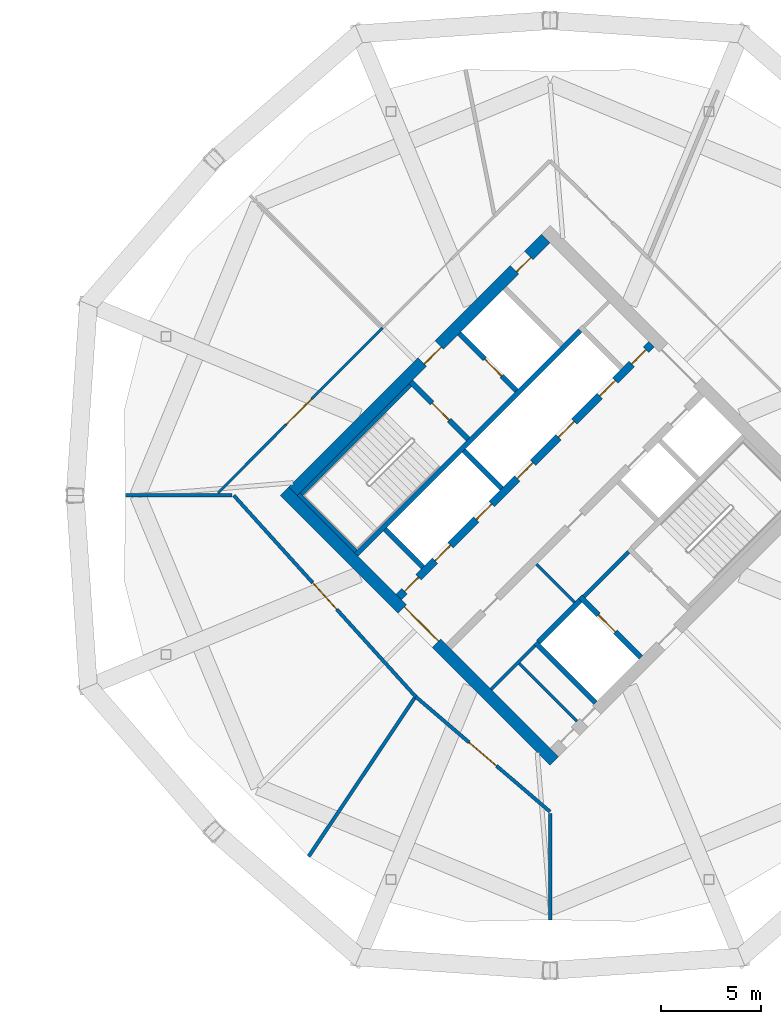
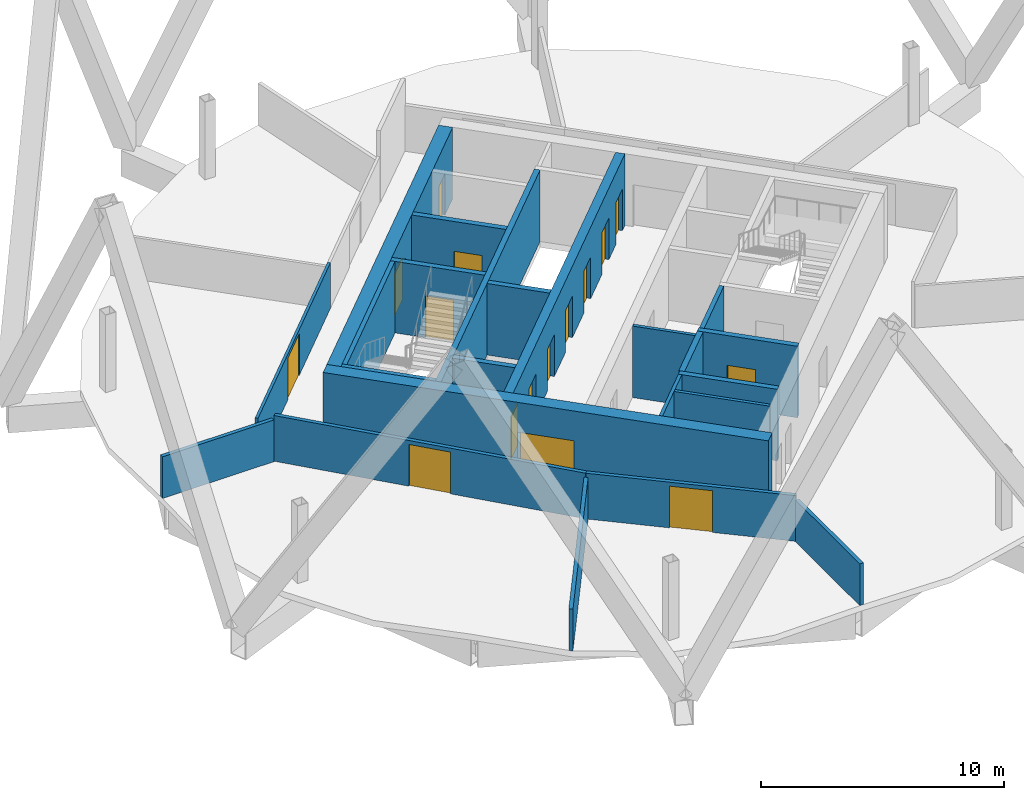
# One storey, part 6 of 9: 23 walls, 16 doors, 16 openings.
"""IFC4 building model written with IfcOpenShell, lengths in metres."""

from ifc_helpers import new_model, si_unit, direction, frame, frame_2d, origin, place, context, subcontext, project, spatial, rectangle, extrude, material, layer, layer_set, type_object, element, fill, save


model = new_model("IFC4")

# Units and contexts
model_context = context("Model", 3, precision=1e-05, world=origin(), true_north=direction((0.0, 1.0)))
body_context = subcontext(model_context, "Body", "Model", "MODEL_VIEW")
ifc_project = project(units=[si_unit("LENGTHUNIT", "METRE"), si_unit("AREAUNIT", "SQUARE_METRE"), si_unit("VOLUMEUNIT", "CUBIC_METRE"), si_unit("PLANEANGLEUNIT", "RADIAN"), si_unit("MASSUNIT", "GRAM", prefix="KILO")], contexts=[model_context])

# Site, building, storey
site_placement = place(None, origin())
site = spatial("IfcSite", under=ifc_project, at=site_placement, CompositionType="ELEMENT")
building_placement = place(site_placement, origin())
building = spatial("IfcBuilding", under=site, at=building_placement, Name="Ogive Gate Towers", CompositionType="ELEMENT")
storey_placement = place(building_placement, frame((0.0, 0.0, 200.699951171875)))
storey = spatial("IfcBuildingStorey", under=building, at=storey_placement, Name="L48", CompositionType="ELEMENT", Elevation=200.699951171875)

# Walls
ifc_material_1 = material(Name="Gypsum board acoustic partition")
ifc_layer_1 = layer(ifc_material_1, 0.175048828125)
ifc_layer_set_1 = layer_set([ifc_layer_1], Name="Acoustic partition 175")
wall_type_1 = type_object("IfcWallType", Name="Acoustic partition 175", PredefinedType="PARTITIONING", material=ifc_layer_set_1)
wall_1_placement = place(storey_placement, frame((14.881103515625, 0.0, 0.0), z_axis=(0.0, 0.0, 1.0), x_axis=(1.0, 0.0, 0.0)))
element("IfcWall", 1, at=wall_1_placement, inside=storey, type_object=wall_type_1, Name="Partition T2-L48-005", PredefinedType="PARTITIONING", context=body_context, shape_type="SweptSolid", body=[
    extrude(rectangle(XDim=5.29150390625, YDim=0.175048828125, at=frame_2d((2.645751953125, 0.0))), origin(), (0.0, 0.0, 1.0), 2.10009765625),
])
wall_2_placement = place(storey_placement, frame((23.98193359375, -17.971435546875, 0.0), z_axis=(0.0, 0.0, 1.0), x_axis=(0.555898649946, 0.831250077286, 0.0)))
element("IfcWall", 2, at=wall_2_placement, inside=storey, type_object=wall_type_1, Name="Partition T2-L48-006", PredefinedType="PARTITIONING", context=body_context, shape_type="SweptSolid", body=[
    extrude(rectangle(XDim=9.49169921875, YDim=0.175048828125, at=frame_2d((4.745849609375, 0.0))), origin(), (0.0, 0.0, 1.0), 2.10009765625),
])
wall_3_placement = place(storey_placement, frame((36.0, -21.118896484375, 0.0), z_axis=(0.0, 0.0, 1.0), x_axis=(0.0, 1.0, 0.0)))
element("IfcWall", 3, at=wall_3_placement, inside=storey, type_object=wall_type_1, Name="Partition T2-L48-007", PredefinedType="PARTITIONING", context=body_context, shape_type="SweptSolid", body=[
    extrude(rectangle(XDim=5.29150390625, YDim=0.175048828125, at=frame_2d((2.645751953125, 0.0))), origin(), (0.0, 0.0, 1.0), 2.10009765625),
])

# Wall, opening, door
wall_4_placement = place(storey_placement, frame((29.306884765625, -10.0087890625, 0.0), z_axis=(0.0, 0.0, 1.0), x_axis=(0.759579210601, -0.650414808275, 0.0)))
wall_4 = element("IfcWall", 4, at=wall_4_placement, inside=storey, type_object=wall_type_1, Name="Partition T2-L48-009", PredefinedType="PARTITIONING", context=body_context, shape_type="SweptSolid", body=[
    extrude(rectangle(XDim=8.8115234375, YDim=0.175048828125, at=frame_2d((4.40576171875, 0.0))), origin(), (0.0, 0.0, 1.0), 2.300048828125),
])
opening_1_placement = place(wall_4_placement, frame((3.506103515625, 0.0, 0.0)))
opening_1 = element("IfcOpeningElement", 5, at=opening_1_placement, cuts=wall_4, Name="Opening T2-L48-D01", PredefinedType="OPENING", context=body_context, shape_type="SweptSolid", body=[
    extrude(rectangle(XDim=1.800048828125, YDim=2.10009765625, at=frame_2d((0.89990234375, 1.050048828125))), frame((0.0, 0.09765625, 0.0), z_axis=(0.0, -1.0, 0.0), x_axis=(1.0, 0.0, 0.0)), (0.0, 0.0, 1.0), 0.195068359375),
])
ifc_material_2 = material(Name="Timber door", Category="wood")
door_type_1 = type_object("IfcDoorType", Name="Door pair 1800", OperationType="NOTDEFINED", PredefinedType="DOOR", material=ifc_material_2)
door_1_placement = place(opening_1_placement, origin())
door_1 = element("IfcDoor", 6, at=door_1_placement, inside=storey, type_object=door_type_1, Name="Door T2-L48-D01", OperationType="DOUBLE_DOOR_DOUBLE_SWING", OverallHeight=2.10009765625, OverallWidth=1.800048828125, PredefinedType="DOOR", context=body_context, shape_type="SweptSolid", body=[
    extrude(rectangle(XDim=1.800048828125, YDim=2.10009765625, at=frame_2d((0.89990234375, 1.050048828125))), frame((0.0, 0.02490234375, 0.0), z_axis=(0.0, -1.0, 0.0), x_axis=(1.0, 0.0, 0.0)), (0.0, 0.0, 1.0), 0.050048828125),
])
fill(opening_1, door_1)

wall_5_placement = place(storey_placement, frame((20.260009765625, 0.0, 0.0), z_axis=(0.0, 0.0, 1.0), x_axis=(0.670558821911, -0.741856365044, 0.0)))
wall_5 = element("IfcWall", 7, at=wall_5_placement, inside=storey, type_object=wall_type_1, Name="Partition T2-L48-017", PredefinedType="PARTITIONING", context=body_context, shape_type="SweptSolid", body=[
    extrude(rectangle(XDim=13.491455078125, YDim=0.175048828125, at=frame_2d((6.74560546875, 0.0))), origin(), (0.0, 0.0, 1.0), 2.300048828125),
])
opening_2_placement = place(wall_5_placement, frame((5.845947265625, 0.0, 0.0)))
opening_2 = element("IfcOpeningElement", 8, at=opening_2_placement, cuts=wall_5, Name="Opening T2-L48-D07", PredefinedType="OPENING", context=body_context, shape_type="SweptSolid", body=[
    extrude(rectangle(XDim=1.800048828125, YDim=2.10009765625, at=frame_2d((0.89990234375, 1.050048828125))), frame((0.0, 0.09765625, 0.0), z_axis=(0.0, -1.0, 0.0), x_axis=(1.0, 0.0, 0.0)), (0.0, 0.0, 1.0), 0.195068359375),
])
door_2_placement = place(opening_2_placement, origin())
door_2 = element("IfcDoor", 9, at=door_2_placement, inside=storey, type_object=door_type_1, Name="Door T2-L48-D07", OperationType="DOUBLE_DOOR_DOUBLE_SWING", OverallHeight=2.10009765625, OverallWidth=1.800048828125, PredefinedType="DOOR", context=body_context, shape_type="SweptSolid", body=[
    extrude(rectangle(XDim=1.800048828125, YDim=2.10009765625, at=frame_2d((0.89990234375, 1.050048828125))), frame((0.0, 0.02490234375, 0.0), z_axis=(0.0, -1.0, 0.0), x_axis=(1.0, 0.0, 0.0)), (0.0, 0.0, 1.0), 0.050048828125),
])
fill(opening_2, door_2)

# Wall
ifc_material_3 = material(Name="Masonry blockwork", Category="masonry")
ifc_layer_2 = layer(ifc_material_3, 0.199951171875)
ifc_layer_set_2 = layer_set([ifc_layer_2], Name="Blockwork wall 200 mm")
wall_type_2 = type_object("IfcWallType", Name="Blockwork wall 200 mm", PredefinedType="PARTITIONING", material=ifc_layer_set_2)
wall_6_placement = place(storey_placement, frame((37.679443359375, -5.0380859375, 0.0), z_axis=(0.0, 0.0, 1.0), x_axis=(0.707106781187, 0.707106781187, 0.0)))
element("IfcWall", 10, at=wall_6_placement, inside=storey, type_object=wall_type_2, Name="T2 L48 Blockwork wall 200 mm", PredefinedType="PARTITIONING", context=body_context, shape_type="SweptSolid", body=[
    extrude(rectangle(XDim=3.14990234375, YDim=0.199951171875, at=frame_2d((1.574951171875, 0.0))), origin(), (0.0, 0.0, 1.0), 3.60009765625),
])

# Wall, openings, doors
ifc_material_4 = material(Name="Concrete C60/75", Category="concrete")
ifc_layer_3 = layer(ifc_material_4, 0.60009765625)
ifc_layer_set_3 = layer_set([ifc_layer_3], Name="Core wall 600 mm")
wall_type_3 = type_object("IfcWallType", Name="Core wall 600 mm", PredefinedType="SHEAR", material=ifc_layer_set_3)
wall_7_placement = place(storey_placement, frame((23.201416015625, 0.212158203125, 0.0), z_axis=(0.0, 0.0, 1.0), x_axis=(0.707106781187, 0.707106781187, 0.0)))
wall_7 = element("IfcWall", 11, at=wall_7_placement, inside=storey, type_object=wall_type_3, Name="T2 L48 Core wall 600 mm", PredefinedType="SHEAR", context=body_context, shape_type="SweptSolid", body=[
    extrude(rectangle(XDim=17.7998046875, YDim=0.60009765625, at=frame_2d((8.89990234375, 0.0))), origin(), (0.0, 0.0, 1.0), 3.60009765625),
])
opening_3_placement = place(wall_7_placement, frame((9.10009765625, 0.0, 0.0)))
opening_3 = element("IfcOpeningElement", 12, at=opening_3_placement, cuts=wall_7, Name="Opening KD-T2-L48-18", PredefinedType="OPENING", context=body_context, shape_type="SweptSolid", body=[
    extrude(rectangle(XDim=1.199951171875, YDim=2.10009765625, at=frame_2d((0.60009765625, 1.050048828125))), frame((0.0, 0.31005859375, 0.0), z_axis=(0.0, -1.0, 0.0), x_axis=(1.0, 0.0, 0.0)), (0.0, 0.0, 1.0), 0.6201171875),
])
opening_4_placement = place(wall_7_placement, frame((15.60009765625, 0.0, 0.0)))
opening_4 = element("IfcOpeningElement", 13, at=opening_4_placement, cuts=wall_7, Name="Opening KD-T2-L48-20", PredefinedType="OPENING", context=body_context, shape_type="SweptSolid", body=[
    extrude(rectangle(XDim=1.0, YDim=2.10009765625, at=frame_2d((0.5, 1.050048828125))), frame((0.0, 0.31005859375, 0.0), z_axis=(0.0, -1.0, 0.0), x_axis=(1.0, 0.0, 0.0)), (0.0, 0.0, 1.0), 0.6201171875),
])
door_type_2 = type_object("IfcDoorType", Name="Accessible WC door 1000 x 2100", OperationType="NOTDEFINED", PredefinedType="DOOR", material=ifc_material_2)
door_3_placement = place(opening_4_placement, origin())
door_3 = element("IfcDoor", 14, at=door_3_placement, inside=storey, type_object=door_type_2, Name="T2 L48 Core door", OperationType="SINGLE_SWING_LEFT", OverallHeight=2.10009765625, OverallWidth=1.0, PredefinedType="DOOR", context=body_context, shape_type="SweptSolid", body=[
    extrude(rectangle(XDim=1.0, YDim=2.10009765625, at=frame_2d((0.5, 1.050048828125))), frame((0.0, -0.125, 0.0), z_axis=(0.0, -1.0, 0.0), x_axis=(1.0, 0.0, 0.0)), (0.0, 0.0, 1.0), 0.050048828125),
])
fill(opening_4, door_3)
ifc_material_5 = material(Name="Steel fire door", Category="steel")
door_type_3 = type_object("IfcDoorType", Name="Core door FD60S 1200 x 2100", OperationType="NOTDEFINED", PredefinedType="DOOR", material=ifc_material_5)
door_4_placement = place(opening_3_placement, origin())
door_4 = element("IfcDoor", 15, at=door_4_placement, inside=storey, type_object=door_type_3, Name="T2 L48 Fire-fighting lobby door", OperationType="SINGLE_SWING_LEFT", OverallHeight=2.10009765625, OverallWidth=1.199951171875, PredefinedType="DOOR", context=body_context, shape_type="SweptSolid", body=[
    extrude(rectangle(XDim=1.199951171875, YDim=2.10009765625, at=frame_2d((0.60009765625, 1.050048828125))), frame((0.0, -0.125, 0.0), z_axis=(0.0, -1.0, 0.0), x_axis=(1.0, 0.0, 0.0)), (0.0, 0.0, 1.0), 0.050048828125),
])
fill(opening_3, door_4)

# Wall, opening, door
wall_8_placement = place(storey_placement, frame((36.212158203125, -13.222900390625, 0.0), z_axis=(0.0, 0.0, 1.0), x_axis=(-0.707106781187, 0.707106781187, 0.0)))
wall_8 = element("IfcWall", 16, at=wall_8_placement, inside=storey, type_object=wall_type_3, Name="T2 L48 Core wall 600 mm", PredefinedType="SHEAR", context=body_context, shape_type="SweptSolid", body=[
    extrude(rectangle(XDim=19.0, YDim=0.60009765625, at=frame_2d((9.5, 0.0))), origin(), (0.0, 0.0, 1.0), 3.60009765625),
])
opening_5_placement = place(wall_8_placement, frame((8.300048828125, 0.0, 0.0)))
opening_5 = element("IfcOpeningElement", 17, at=opening_5_placement, cuts=wall_8, Name="Opening KD-T2-L48-01", PredefinedType="OPENING", context=body_context, shape_type="SweptSolid", body=[
    extrude(rectangle(XDim=2.39990234375, YDim=2.10009765625, at=frame_2d((1.199951171875, 1.050048828125))), frame((0.0, 0.31005859375, 0.0), z_axis=(0.0, -1.0, 0.0), x_axis=(1.0, 0.0, 0.0)), (0.0, 0.0, 1.0), 0.6201171875),
])
door_type_4 = type_object("IfcDoorType", Name="Core double door FD60S 2400 x 2100", OperationType="DOUBLE_DOOR_SINGLE_SWING", PredefinedType="DOOR", material=ifc_material_5)
door_5_placement = place(opening_5_placement, origin())
door_5 = element("IfcDoor", 18, at=door_5_placement, inside=storey, type_object=door_type_4, Name="T2 L48 Core door double", OperationType="DOUBLE_DOOR_SINGLE_SWING", OverallHeight=2.10009765625, OverallWidth=2.39990234375, PredefinedType="DOOR", context=body_context, shape_type="SweptSolid", body=[
    extrude(rectangle(XDim=2.39990234375, YDim=2.10009765625, at=frame_2d((1.199951171875, 1.050048828125))), frame((0.0, -0.125, 0.0), z_axis=(0.0, -1.0, 0.0), x_axis=(1.0, 0.0, 0.0)), (0.0, 0.0, 1.0), 0.050048828125),
])
fill(opening_5, door_5)

ifc_material_6 = material(Name="Gypsum board partition")
ifc_layer_4 = layer(ifc_material_6, 0.125)
ifc_layer_set_4 = layer_set([ifc_layer_4], Name="Partition 125")
wall_type_4 = type_object("IfcWallType", Name="Partition 125", PredefinedType="PARTITIONING", material=ifc_layer_set_4)
wall_9_placement = place(storey_placement, frame((27.6630859375, 8.3369140625, 0.0), z_axis=(0.0, 0.0, 1.0), x_axis=(-0.706495325454, -0.707717708632, 0.0)))
wall_9 = element("IfcWall", 19, at=wall_9_placement, inside=storey, type_object=wall_type_4, Name="Partition T2-L48-016", PredefinedType="PARTITIONING", context=body_context, shape_type="SweptSolid", body=[
    extrude(rectangle(XDim=11.583984375, YDim=0.125, at=frame_2d((5.7919921875, 0.0))), origin(), (0.0, 0.0, 1.0), 2.300048828125),
])
opening_6_placement = place(wall_9_placement, frame((4.989990234375, 0.0, 0.0)))
opening_6 = element("IfcOpeningElement", 20, at=opening_6_placement, cuts=wall_9, Name="Opening T2-L48-D06", PredefinedType="OPENING", context=body_context, shape_type="SweptSolid", body=[
    extrude(rectangle(XDim=1.800048828125, YDim=2.10009765625, at=frame_2d((0.89990234375, 1.050048828125))), frame((0.0, 0.072509765625, 0.0), z_axis=(0.0, -1.0, 0.0), x_axis=(1.0, 0.0, 0.0)), (0.0, 0.0, 1.0), 0.14501953125),
])
door_6_placement = place(opening_6_placement, origin())
door_6 = element("IfcDoor", 21, at=door_6_placement, inside=storey, type_object=door_type_1, Name="Door T2-L48-D06", OperationType="DOUBLE_DOOR_DOUBLE_SWING", OverallHeight=2.10009765625, OverallWidth=1.800048828125, PredefinedType="DOOR", context=body_context, shape_type="SweptSolid", body=[
    extrude(rectangle(XDim=1.800048828125, YDim=2.10009765625, at=frame_2d((0.89990234375, 1.050048828125))), frame((0.0, 0.02490234375, 0.0), z_axis=(0.0, -1.0, 0.0), x_axis=(1.0, 0.0, 0.0)), (0.0, 0.0, 1.0), 0.050048828125),
])
fill(opening_6, door_6)

# Walls
ifc_layer_5 = layer(ifc_material_6, 0.14990234375)
ifc_layer_set_5 = layer_set([ifc_layer_5], Name="Room partition 150 mm")
wall_type_5 = type_object("IfcWallType", Name="Room partition 150 mm", PredefinedType="PARTITIONING", material=ifc_layer_set_5)
wall_10_placement = place(storey_placement, frame((33.0654296875, -9.652099609375, 0.0), z_axis=(0.0, 0.0, 1.0), x_axis=(0.707146476181, 0.707067083964, 0.0)))
element("IfcWall", 22, at=wall_10_placement, inside=storey, type_object=wall_type_5, Name="T2 L48 Room partition 150 mm", PredefinedType="PARTITIONING", context=body_context, shape_type="SweptSolid", body=[
    extrude(rectangle(XDim=3.0751953125, YDim=0.14990234375, at=frame_2d((1.53759765625, 0.0))), origin(), (0.0, 0.0, 1.0), 3.60009765625),
])
wall_11_placement = place(storey_placement, frame((37.343505859375, -11.242919921875, 0.0), z_axis=(0.0, 0.0, 1.0), x_axis=(-0.707136736357, 0.707076824747, 0.0)))
element("IfcWall", 23, at=wall_11_placement, inside=storey, type_object=wall_type_5, Name="T2 L48 Room partition 150 mm", PredefinedType="PARTITIONING", context=body_context, shape_type="SweptSolid", body=[
    extrude(rectangle(XDim=4.074951171875, YDim=0.14990234375, at=frame_2d((2.03759765625, 0.0))), origin(), (0.0, 0.0, 1.0), 3.60009765625),
])
wall_12_placement = place(storey_placement, frame((37.2197265625, -5.321044921875, 0.0), z_axis=(0.0, 0.0, 1.0), x_axis=(-0.707106781187, 0.707106781187, 0.0)))
element("IfcWall", 24, at=wall_12_placement, inside=storey, type_object=wall_type_5, Name="T2 L48 Room partition 150 mm", PredefinedType="PARTITIONING", context=body_context, shape_type="SweptSolid", body=[
    extrude(rectangle(XDim=2.675048828125, YDim=0.14990234375, at=frame_2d((1.33740234375, 0.0))), origin(), (0.0, 0.0, 1.0), 3.60009765625),
])
ifc_layer_6 = layer(ifc_material_4, 0.25)
ifc_layer_set_6 = layer_set([ifc_layer_6], Name="Shaft wall 250 mm")
wall_type_6 = type_object("IfcWallType", Name="Shaft wall 250 mm", PredefinedType="SHEAR", material=ifc_layer_set_6)
wall_13_placement = place(storey_placement, frame((35.41650390625, -7.30078125, 0.0), z_axis=(0.0, 0.0, 1.0), x_axis=(0.707148157867, 0.707065402085, 0.0)))
element("IfcWall", 25, at=wall_13_placement, inside=storey, type_object=wall_type_6, Name="T2 L48 Shaft wall 250 mm", PredefinedType="SHEAR", context=body_context, shape_type="SweptSolid", body=[
    extrude(rectangle(XDim=2.9501953125, YDim=0.25, at=frame_2d((1.47509765625, 0.0))), origin(), (0.0, 0.0, 1.0), 3.60009765625),
])
wall_14_placement = place(storey_placement, frame((26.347900390625, -2.9345703125, 0.0), z_axis=(0.0, 0.0, 1.0), x_axis=(0.707106781187, 0.707106781187, 0.0)))
element("IfcWall", 26, at=wall_14_placement, inside=storey, type_object=wall_type_6, Name="T2 L48 Shaft wall 250 mm", PredefinedType="SHEAR", context=body_context, shape_type="SweptSolid", body=[
    extrude(rectangle(XDim=15.775146484375, YDim=0.25, at=frame_2d((7.8876953125, 0.0))), origin(), (0.0, 0.0, 1.0), 3.60009765625),
])
wall_15_placement = place(storey_placement, frame((29.67138671875, -3.57080078125, 0.0), z_axis=(0.0, 0.0, 1.0), x_axis=(-0.707152414227, 0.707061145201, 0.0)))
element("IfcWall", 27, at=wall_15_placement, inside=storey, type_object=wall_type_6, Name="T2 L48 Shaft wall 250 mm", PredefinedType="SHEAR", context=body_context, shape_type="SweptSolid", body=[
    extrude(rectangle(XDim=2.675048828125, YDim=0.25, at=frame_2d((1.33740234375, 0.0))), origin(), (0.0, 0.0, 1.0), 3.60009765625),
])
wall_16_placement = place(storey_placement, frame((38.2626953125, -10.32373046875, 0.0), z_axis=(0.0, 0.0, 1.0), x_axis=(-0.707106781187, 0.707106781187, 0.0)))
element("IfcWall", 28, at=wall_16_placement, inside=storey, type_object=wall_type_6, Name="T2 L48 Shaft wall 250 mm", PredefinedType="SHEAR", context=body_context, shape_type="SweptSolid", body=[
    extrude(rectangle(XDim=4.22509765625, YDim=0.25, at=frame_2d((2.112548828125, 0.0))), origin(), (0.0, 0.0, 1.0), 3.60009765625),
])

# Wall, opening, door
wall_17_placement = place(storey_placement, frame((40.525390625, -8.06103515625, 0.0), z_axis=(0.0, 0.0, 1.0), x_axis=(-0.707078225638, 0.707135335582, 0.0)))
wall_17 = element("IfcWall", 29, at=wall_17_placement, inside=storey, type_object=wall_type_6, Name="T2 L48 Shaft wall 250 mm", PredefinedType="SHEAR", context=body_context, shape_type="SweptSolid", body=[
    extrude(rectangle(XDim=4.27490234375, YDim=0.25, at=frame_2d((2.137451171875, 0.0))), origin(), (0.0, 0.0, 1.0), 3.60009765625),
])
opening_7_placement = place(wall_17_placement, frame((1.800048828125, 0.0, 0.0)))
opening_7 = element("IfcOpeningElement", 30, at=opening_7_placement, cuts=wall_17, Name="Opening LD-T2-L48-13", PredefinedType="OPENING", context=body_context, shape_type="SweptSolid", body=[
    extrude(rectangle(XDim=1.199951171875, YDim=2.10009765625, at=frame_2d((0.60009765625, 1.050048828125))), frame((0.0, 0.135009765625, 0.0), z_axis=(0.0, -1.0, 0.0), x_axis=(1.0, 0.0, 0.0)), (0.0, 0.0, 1.0), 0.27001953125),
])
ifc_material_7 = material(Name="Stainless steel landing door", Category="steel")
door_type_5 = type_object("IfcDoorType", Name="Landing door 1200 x 2100", OperationType="SLIDING_TO_LEFT", PredefinedType="DOOR", material=ifc_material_7)
door_7_placement = place(opening_7_placement, origin())
door_7 = element("IfcDoor", 31, at=door_7_placement, inside=storey, type_object=door_type_5, Name="T2 L48 Lift landing door FF2", OperationType="SLIDING_TO_LEFT", OverallHeight=2.10009765625, OverallWidth=1.199951171875, PredefinedType="DOOR", context=body_context, shape_type="SweptSolid", body=[
    extrude(rectangle(XDim=1.199951171875, YDim=2.10009765625, at=frame_2d((0.60009765625, 1.050048828125))), frame((0.0, 0.02490234375, 0.0), z_axis=(0.0, -1.0, 0.0), x_axis=(1.0, 0.0, 0.0)), (0.0, 0.0, 1.0), 0.050048828125),
])
fill(opening_7, door_7)

# Wall
wall_18_placement = place(storey_placement, frame((33.595703125, 0.353515625, 0.0), z_axis=(0.0, 0.0, 1.0), x_axis=(-0.707061145201, 0.707152414227, 0.0)))
element("IfcWall", 32, at=wall_18_placement, inside=storey, type_object=wall_type_6, Name="T2 L48 Shaft wall 250 mm", PredefinedType="SHEAR", context=body_context, shape_type="SweptSolid", body=[
    extrude(rectangle(XDim=2.675048828125, YDim=0.25, at=frame_2d((1.33740234375, 0.0))), origin(), (0.0, 0.0, 1.0), 3.60009765625),
])

# Wall, opening, door
wall_19_placement = place(storey_placement, frame((31.91650390625, 2.810791015625, 0.0), z_axis=(0.0, 0.0, 1.0), x_axis=(-0.707106781187, 0.707106781187, 0.0)))
wall_19 = element("IfcWall", 33, at=wall_19_placement, inside=storey, type_object=wall_type_6, Name="T2 L48 Shaft wall 250 mm", PredefinedType="SHEAR", context=body_context, shape_type="SweptSolid", body=[
    extrude(rectangle(XDim=4.025146484375, YDim=0.25, at=frame_2d((2.0126953125, 0.0))), origin(), (0.0, 0.0, 1.0), 3.60009765625),
])
opening_8_placement = place(wall_19_placement, frame((1.324951171875, 0.0, 0.0)))
opening_8 = element("IfcOpeningElement", 34, at=opening_8_placement, cuts=wall_19, Name="Opening KD-T2-L48-16", PredefinedType="OPENING", context=body_context, shape_type="SweptSolid", body=[
    extrude(rectangle(XDim=1.199951171875, YDim=2.10009765625, at=frame_2d((0.60009765625, 1.050048828125))), frame((0.0, 0.135009765625, 0.0), z_axis=(0.0, -1.0, 0.0), x_axis=(1.0, 0.0, 0.0)), (0.0, 0.0, 1.0), 0.27001953125),
])
door_8_placement = place(opening_8_placement, origin())
door_8 = element("IfcDoor", 35, at=door_8_placement, inside=storey, type_object=door_type_3, Name="T2 L48 Stair door", OperationType="SINGLE_SWING_LEFT", OverallHeight=2.10009765625, OverallWidth=1.199951171875, PredefinedType="DOOR", context=body_context, shape_type="SweptSolid", body=[
    extrude(rectangle(XDim=1.199951171875, YDim=2.10009765625, at=frame_2d((0.60009765625, 1.050048828125))), frame((0.0, 0.02490234375, 0.0), z_axis=(0.0, -1.0, 0.0), x_axis=(1.0, 0.0, 0.0)), (0.0, 0.0, 1.0), 0.050048828125),
])
fill(opening_8, door_8)

wall_20_placement = place(storey_placement, frame((34.320556640625, 5.21484375, 0.0), z_axis=(0.0, 0.0, 1.0), x_axis=(-0.70707645213, 0.707137108942, 0.0)))
wall_20 = element("IfcWall", 36, at=wall_20_placement, inside=storey, type_object=wall_type_6, Name="T2 L48 Shaft wall 250 mm", PredefinedType="SHEAR", context=body_context, shape_type="SweptSolid", body=[
    extrude(rectangle(XDim=4.02490234375, YDim=0.25, at=frame_2d((2.012451171875, 0.0))), origin(), (0.0, 0.0, 1.0), 3.60009765625),
])
opening_9_placement = place(wall_20_placement, frame((1.02490234375, 0.0, 0.0)))
opening_9 = element("IfcOpeningElement", 37, at=opening_9_placement, cuts=wall_20, Name="Opening LD-T2-L48-12", PredefinedType="OPENING", context=body_context, shape_type="SweptSolid", body=[
    extrude(rectangle(XDim=1.199951171875, YDim=2.10009765625, at=frame_2d((0.60009765625, 1.050048828125))), frame((0.0, 0.135009765625, 0.0), z_axis=(0.0, -1.0, 0.0), x_axis=(1.0, 0.0, 0.0)), (0.0, 0.0, 1.0), 0.27001953125),
])
door_9_placement = place(opening_9_placement, origin())
door_9 = element("IfcDoor", 38, at=door_9_placement, inside=storey, type_object=door_type_5, Name="T2 L48 Lift landing door FF1", OperationType="SLIDING_TO_LEFT", OverallHeight=2.10009765625, OverallWidth=1.199951171875, PredefinedType="DOOR", context=body_context, shape_type="SweptSolid", body=[
    extrude(rectangle(XDim=1.199951171875, YDim=2.10009765625, at=frame_2d((0.60009765625, 1.050048828125))), frame((0.0, 0.02490234375, 0.0), z_axis=(0.0, -1.0, 0.0), x_axis=(1.0, 0.0, 0.0)), (0.0, 0.0, 1.0), 0.050048828125),
])
fill(opening_9, door_9)

# Wall, openings, doors
ifc_layer_7 = layer(ifc_material_4, 0.39990234375)
ifc_layer_set_7 = layer_set([ifc_layer_7], Name="Spine wall 400 mm")
wall_type_7 = type_object("IfcWallType", Name="Spine wall 400 mm", PredefinedType="SHEAR", material=ifc_layer_set_7)
wall_21_placement = place(storey_placement, frame((28.46923828125, -5.055908203125, 0.0), z_axis=(0.0, 0.0, 1.0), x_axis=(0.707106781187, 0.707106781187, 0.0)))
wall_21 = element("IfcWall", 39, at=wall_21_placement, inside=storey, type_object=wall_type_7, Name="T2 L48 Spine wall 400 mm", PredefinedType="SHEAR", context=body_context, shape_type="SweptSolid", body=[
    extrude(rectangle(XDim=17.80029296875, YDim=0.39990234375, at=frame_2d((8.900146484375, 0.0))), origin(), (0.0, 0.0, 1.0), 3.60009765625),
])
opening_10_placement = place(wall_21_placement, frame((0.39990234375, 0.0, 0.0)))
opening_10 = element("IfcOpeningElement", 40, at=opening_10_placement, cuts=wall_21, Name="Opening KD-T2-L48-03", PredefinedType="OPENING", context=body_context, shape_type="SweptSolid", body=[
    extrude(rectangle(XDim=1.0, YDim=2.10009765625, at=frame_2d((0.5, 1.050048828125))), frame((0.0, 0.2099609375, 0.0), z_axis=(0.0, -1.0, 0.0), x_axis=(1.0, 0.0, 0.0)), (0.0, 0.0, 1.0), 0.419921875),
])
opening_11_placement = place(wall_21_placement, frame((2.550048828125, 0.0, 0.0)))
opening_11 = element("IfcOpeningElement", 41, at=opening_11_placement, cuts=wall_21, Name="Opening LD-T2-L48-04", PredefinedType="OPENING", context=body_context, shape_type="SweptSolid", body=[
    extrude(rectangle(XDim=1.10009765625, YDim=2.10009765625, at=frame_2d((0.550048828125, 1.050048828125))), frame((0.0, 0.2099609375, 0.0), z_axis=(0.0, -1.0, 0.0), x_axis=(1.0, 0.0, 0.0)), (0.0, 0.0, 1.0), 0.419921875),
])
opening_12_placement = place(wall_21_placement, frame((5.449951171875, 0.0, 0.0)))
opening_12 = element("IfcOpeningElement", 42, at=opening_12_placement, cuts=wall_21, Name="Opening LD-T2-L48-05", PredefinedType="OPENING", context=body_context, shape_type="SweptSolid", body=[
    extrude(rectangle(XDim=1.10009765625, YDim=2.10009765625, at=frame_2d((0.550048828125, 1.050048828125))), frame((0.0, 0.2099609375, 0.0), z_axis=(0.0, -1.0, 0.0), x_axis=(1.0, 0.0, 0.0)), (0.0, 0.0, 1.0), 0.419921875),
])
opening_13_placement = place(wall_21_placement, frame((8.35009765625, 0.0, 0.0)))
opening_13 = element("IfcOpeningElement", 43, at=opening_13_placement, cuts=wall_21, Name="Opening LD-T2-L48-06", PredefinedType="OPENING", context=body_context, shape_type="SweptSolid", body=[
    extrude(rectangle(XDim=1.10009765625, YDim=2.10009765625, at=frame_2d((0.550048828125, 1.050048828125))), frame((0.0, 0.2099609375, 0.0), z_axis=(0.0, -1.0, 0.0), x_axis=(1.0, 0.0, 0.0)), (0.0, 0.0, 1.0), 0.419921875),
])
opening_14_placement = place(wall_21_placement, frame((11.25, 0.0, 0.0)))
opening_14 = element("IfcOpeningElement", 44, at=opening_14_placement, cuts=wall_21, Name="Opening LD-T2-L48-07", PredefinedType="OPENING", context=body_context, shape_type="SweptSolid", body=[
    extrude(rectangle(XDim=1.10009765625, YDim=2.10009765625, at=frame_2d((0.550048828125, 1.050048828125))), frame((0.0, 0.2099609375, 0.0), z_axis=(0.0, -1.0, 0.0), x_axis=(1.0, 0.0, 0.0)), (0.0, 0.0, 1.0), 0.419921875),
])
opening_15_placement = place(wall_21_placement, frame((14.14990234375, 0.0, 0.0)))
opening_15 = element("IfcOpeningElement", 45, at=opening_15_placement, cuts=wall_21, Name="Opening LD-T2-L48-08", PredefinedType="OPENING", context=body_context, shape_type="SweptSolid", body=[
    extrude(rectangle(XDim=1.10009765625, YDim=2.10009765625, at=frame_2d((0.550048828125, 1.050048828125))), frame((0.0, 0.2099609375, 0.0), z_axis=(0.0, -1.0, 0.0), x_axis=(1.0, 0.0, 0.0)), (0.0, 0.0, 1.0), 0.419921875),
])
opening_16_placement = place(wall_21_placement, frame((16.39990234375, 0.0, 0.0)))
opening_16 = element("IfcOpeningElement", 46, at=opening_16_placement, cuts=wall_21, Name="Opening KD-T2-L48-09", PredefinedType="OPENING", context=body_context, shape_type="SweptSolid", body=[
    extrude(rectangle(XDim=1.0, YDim=2.10009765625, at=frame_2d((0.5, 1.050048828125))), frame((0.0, 0.2099609375, 0.0), z_axis=(0.0, -1.0, 0.0), x_axis=(1.0, 0.0, 0.0)), (0.0, 0.0, 1.0), 0.419921875),
])
door_type_6 = type_object("IfcDoorType", Name="Core door FD60S 1000 x 2100", OperationType="NOTDEFINED", PredefinedType="DOOR", material=ifc_material_5)
door_10_placement = place(opening_10_placement, origin())
door_10 = element("IfcDoor", 47, at=door_10_placement, inside=storey, type_object=door_type_6, Name="T2 L48 Core door", OperationType="SINGLE_SWING_RIGHT", OverallHeight=2.10009765625, OverallWidth=1.0, PredefinedType="DOOR", context=body_context, shape_type="SweptSolid", body=[
    extrude(rectangle(XDim=1.0, YDim=2.10009765625, at=frame_2d((0.5, 1.050048828125))), frame((0.0, 0.02490234375, 0.0), z_axis=(0.0, -1.0, 0.0), x_axis=(1.0, 0.0, 0.0)), (0.0, 0.0, 1.0), 0.050048828125),
])
fill(opening_10, door_10)
door_11_placement = place(opening_16_placement, origin())
door_11 = element("IfcDoor", 48, at=door_11_placement, inside=storey, type_object=door_type_6, Name="T2 L48 Core door", OperationType="SINGLE_SWING_RIGHT", OverallHeight=2.10009765625, OverallWidth=1.0, PredefinedType="DOOR", context=body_context, shape_type="SweptSolid", body=[
    extrude(rectangle(XDim=1.0, YDim=2.10009765625, at=frame_2d((0.5, 1.050048828125))), frame((0.0, 0.02490234375, 0.0), z_axis=(0.0, -1.0, 0.0), x_axis=(1.0, 0.0, 0.0)), (0.0, 0.0, 1.0), 0.050048828125),
])
fill(opening_16, door_11)
door_type_7 = type_object("IfcDoorType", Name="Landing door 1100 x 2100", OperationType="SLIDING_TO_LEFT", PredefinedType="DOOR", material=ifc_material_7)
door_12_placement = place(opening_11_placement, origin())
door_12 = element("IfcDoor", 49, at=door_12_placement, inside=storey, type_object=door_type_7, Name="T2 L48 Lift landing door B1", OperationType="SLIDING_TO_LEFT", OverallHeight=2.10009765625, OverallWidth=1.10009765625, PredefinedType="DOOR", context=body_context, shape_type="SweptSolid", body=[
    extrude(rectangle(XDim=1.10009765625, YDim=2.10009765625, at=frame_2d((0.550048828125, 1.050048828125))), frame((0.0, 0.02490234375, 0.0), z_axis=(0.0, -1.0, 0.0), x_axis=(1.0, 0.0, 0.0)), (0.0, 0.0, 1.0), 0.050048828125),
])
fill(opening_11, door_12)
door_13_placement = place(opening_12_placement, origin())
door_13 = element("IfcDoor", 50, at=door_13_placement, inside=storey, type_object=door_type_7, Name="T2 L48 Lift landing door B2", OperationType="SLIDING_TO_LEFT", OverallHeight=2.10009765625, OverallWidth=1.10009765625, PredefinedType="DOOR", context=body_context, shape_type="SweptSolid", body=[
    extrude(rectangle(XDim=1.10009765625, YDim=2.10009765625, at=frame_2d((0.550048828125, 1.050048828125))), frame((0.0, 0.02490234375, 0.0), z_axis=(0.0, -1.0, 0.0), x_axis=(1.0, 0.0, 0.0)), (0.0, 0.0, 1.0), 0.050048828125),
])
fill(opening_12, door_13)
door_14_placement = place(opening_13_placement, origin())
door_14 = element("IfcDoor", 51, at=door_14_placement, inside=storey, type_object=door_type_7, Name="T2 L48 Lift landing door B3", OperationType="SLIDING_TO_LEFT", OverallHeight=2.10009765625, OverallWidth=1.10009765625, PredefinedType="DOOR", context=body_context, shape_type="SweptSolid", body=[
    extrude(rectangle(XDim=1.10009765625, YDim=2.10009765625, at=frame_2d((0.550048828125, 1.050048828125))), frame((0.0, 0.02490234375, 0.0), z_axis=(0.0, -1.0, 0.0), x_axis=(1.0, 0.0, 0.0)), (0.0, 0.0, 1.0), 0.050048828125),
])
fill(opening_13, door_14)
door_15_placement = place(opening_14_placement, origin())
door_15 = element("IfcDoor", 52, at=door_15_placement, inside=storey, type_object=door_type_7, Name="T2 L48 Lift landing door B4", OperationType="SLIDING_TO_LEFT", OverallHeight=2.10009765625, OverallWidth=1.10009765625, PredefinedType="DOOR", context=body_context, shape_type="SweptSolid", body=[
    extrude(rectangle(XDim=1.10009765625, YDim=2.10009765625, at=frame_2d((0.550048828125, 1.050048828125))), frame((0.0, 0.02490234375, 0.0), z_axis=(0.0, -1.0, 0.0), x_axis=(1.0, 0.0, 0.0)), (0.0, 0.0, 1.0), 0.050048828125),
])
fill(opening_14, door_15)
door_16_placement = place(opening_15_placement, origin())
door_16 = element("IfcDoor", 53, at=door_16_placement, inside=storey, type_object=door_type_7, Name="T2 L48 Lift landing door B5", OperationType="SLIDING_TO_LEFT", OverallHeight=2.10009765625, OverallWidth=1.10009765625, PredefinedType="DOOR", context=body_context, shape_type="SweptSolid", body=[
    extrude(rectangle(XDim=1.10009765625, YDim=2.10009765625, at=frame_2d((0.550048828125, 1.050048828125))), frame((0.0, 0.02490234375, 0.0), z_axis=(0.0, -1.0, 0.0), x_axis=(1.0, 0.0, 0.0)), (0.0, 0.0, 1.0), 0.050048828125),
])
fill(opening_15, door_16)

# Walls
ifc_layer_8 = layer(ifc_material_4, 0.199951171875)
ifc_layer_set_8 = layer_set([ifc_layer_8], Name="Stair wall 200 mm")
wall_type_8 = type_object("IfcWallType", Name="Stair wall 200 mm", PredefinedType="SHEAR", material=ifc_layer_set_8)
wall_22_placement = place(storey_placement, frame((23.62548828125, 0.07080078125, 0.0), z_axis=(0.0, 0.0, 1.0), x_axis=(0.707122685701, 0.707090876314, 0.0)))
element("IfcWall", 54, at=wall_22_placement, inside=storey, type_object=wall_type_8, Name="T2 L48 Stair wall 200 mm", PredefinedType="SHEAR", context=body_context, shape_type="SweptSolid", body=[
    extrude(rectangle(XDim=7.675048828125, YDim=0.199951171875, at=frame_2d((3.83740234375, 0.0))), origin(), (0.0, 0.0, 1.0), 3.60009765625),
])
wall_23_placement = place(storey_placement, frame((26.330322265625, -2.775390625, 0.0), z_axis=(0.0, 0.0, 1.0), x_axis=(-0.707106781187, 0.707106781187, 0.0)))
element("IfcWall", 55, at=wall_23_placement, inside=storey, type_object=wall_type_8, Name="T2 L48 Stair wall 200 mm", PredefinedType="SHEAR", context=body_context, shape_type="SweptSolid", body=[
    extrude(rectangle(XDim=4.025146484375, YDim=0.199951171875, at=frame_2d((2.0126953125, 0.0))), origin(), (0.0, 0.0, 1.0), 3.60009765625),
])

save(model, "model.ifc")
